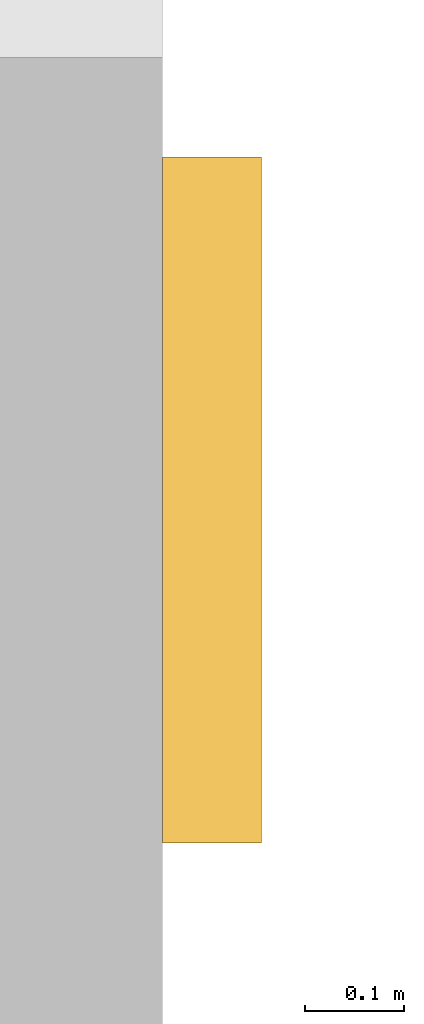
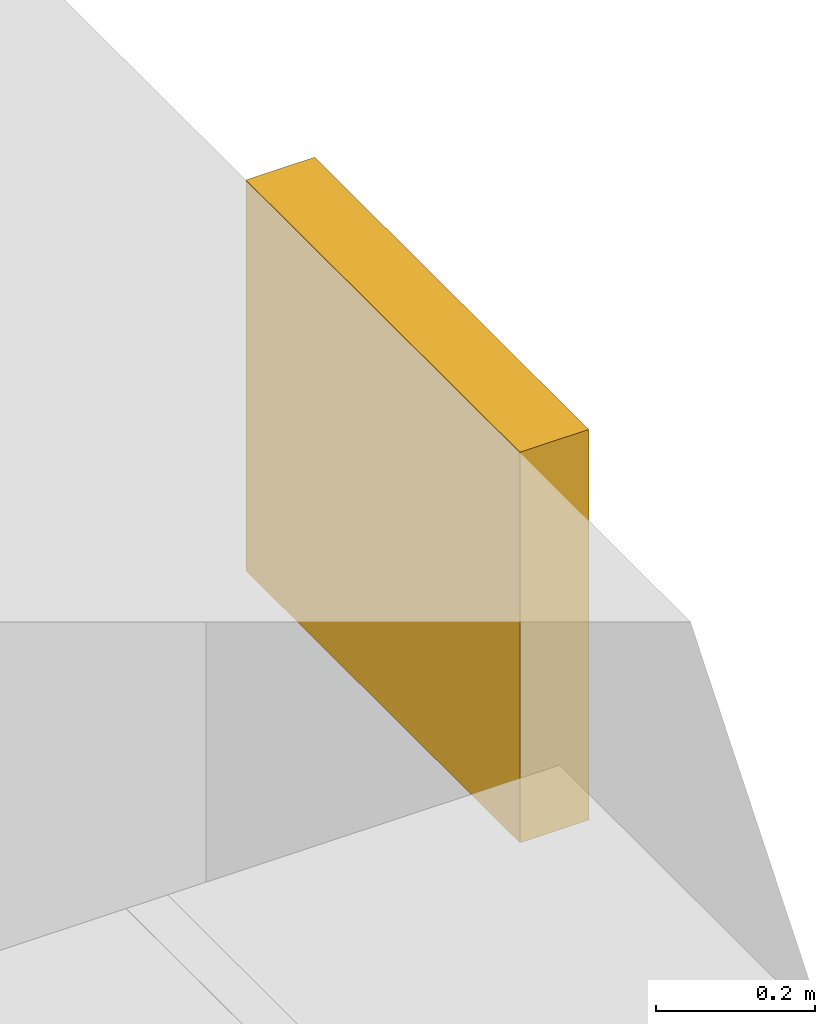
# One storey, part 19 of 22: 1 shading device.
"""IFC4 building model written with IfcOpenShell, lengths in metres."""

from ifc_helpers import new_model, si_unit, direction, frame, origin, origin_2d, place, context, subcontext, project, spatial, rectangle, extrude, material, layer, layer_set, type_object, element, save


model = new_model("IFC4")

# Units and contexts
model_context = context("Model", 3, precision=1e-05, world=origin(), true_north=direction((0.0, 1.0)))
body_context = subcontext(model_context, "Body", "Model", "MODEL_VIEW")
ifc_project = project(units=[si_unit("LENGTHUNIT", "METRE"), si_unit("AREAUNIT", "SQUARE_METRE"), si_unit("VOLUMEUNIT", "CUBIC_METRE"), si_unit("PLANEANGLEUNIT", "RADIAN"), si_unit("MASSUNIT", "GRAM", prefix="KILO")], contexts=[model_context])

# Site, building, storey
site_placement = place(None, origin())
site = spatial("IfcSite", under=ifc_project, at=site_placement, CompositionType="ELEMENT")
building_placement = place(site_placement, origin())
building = spatial("IfcBuilding", under=site, at=building_placement, Name="Vermilion Gate Residences", CompositionType="ELEMENT")
storey_placement = place(building_placement, frame((0.0, 0.0, 56.699951171875)))
storey = spatial("IfcBuildingStorey", under=building, at=storey_placement, Name="L13", CompositionType="ELEMENT", Elevation=56.699951171875)

# Shading device
ifc_material = material(Name="Extruded terracotta", Category="masonry")
ifc_layer = layer(ifc_material, 0.10009765625)
ifc_layer_set = layer_set([ifc_layer], Name="TERRACOTTA SPANDREL BAND 600 X 100")
shading_device_type = type_object("IfcShadingDeviceType", Name="TERRACOTTA SPANDREL BAND 600 X 100", PredefinedType="USERDEFINED", material=ifc_layer_set)
shading_device_placement = place(storey_placement, frame((25.25, 54.7548828125, 2.6201171875), z_axis=(0.0, 0.0, 1.0), x_axis=(0.0, 1.0, 0.0)))
element("IfcShadingDevice", 1, at=shading_device_placement, inside=storey, type_object=shading_device_type, Name="SPANDREL BAND", ObjectType="BAND", PredefinedType="USERDEFINED", context=body_context, shape_type="SweptSolid", body=[
    extrude(rectangle(XDim=0.68994140625, YDim=0.10009765625, at=origin_2d()), origin(), (0.0, 0.0, 1.0), 0.60009765625),
])

save(model, "model.ifc")
